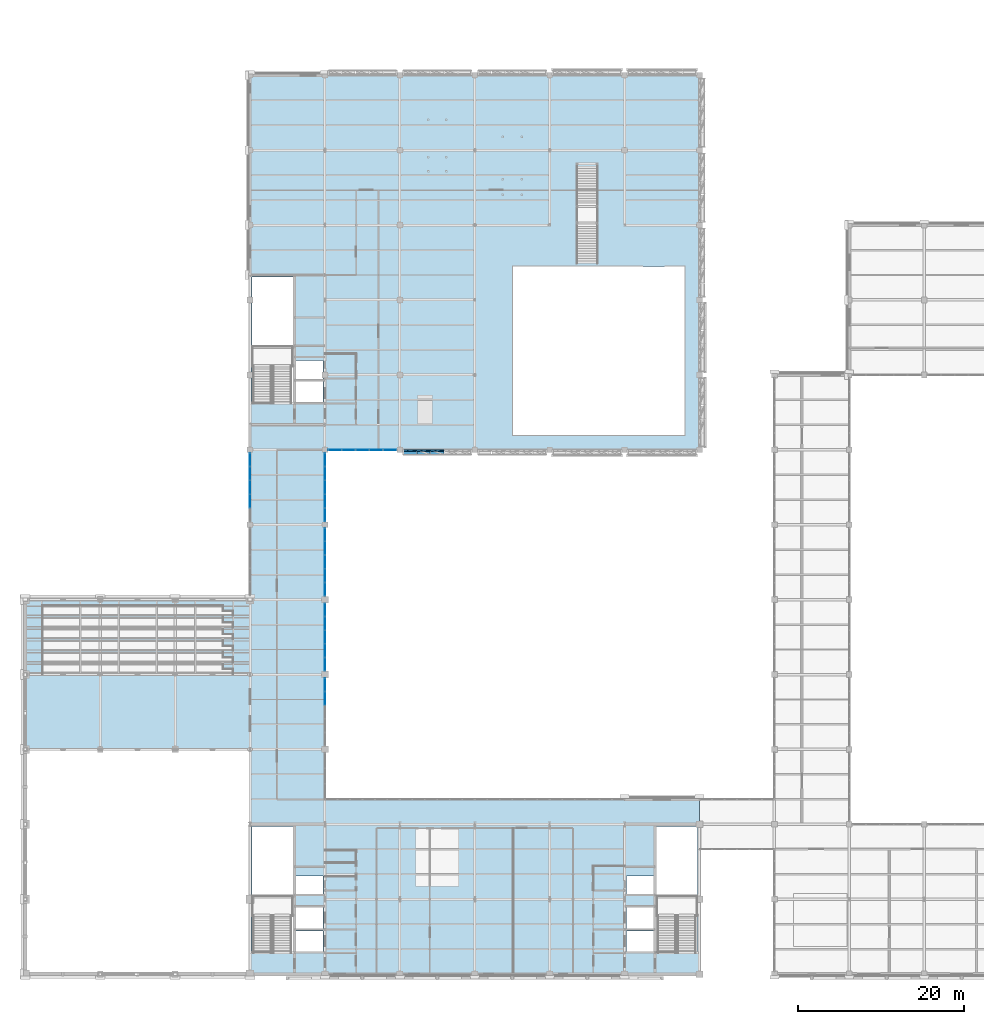
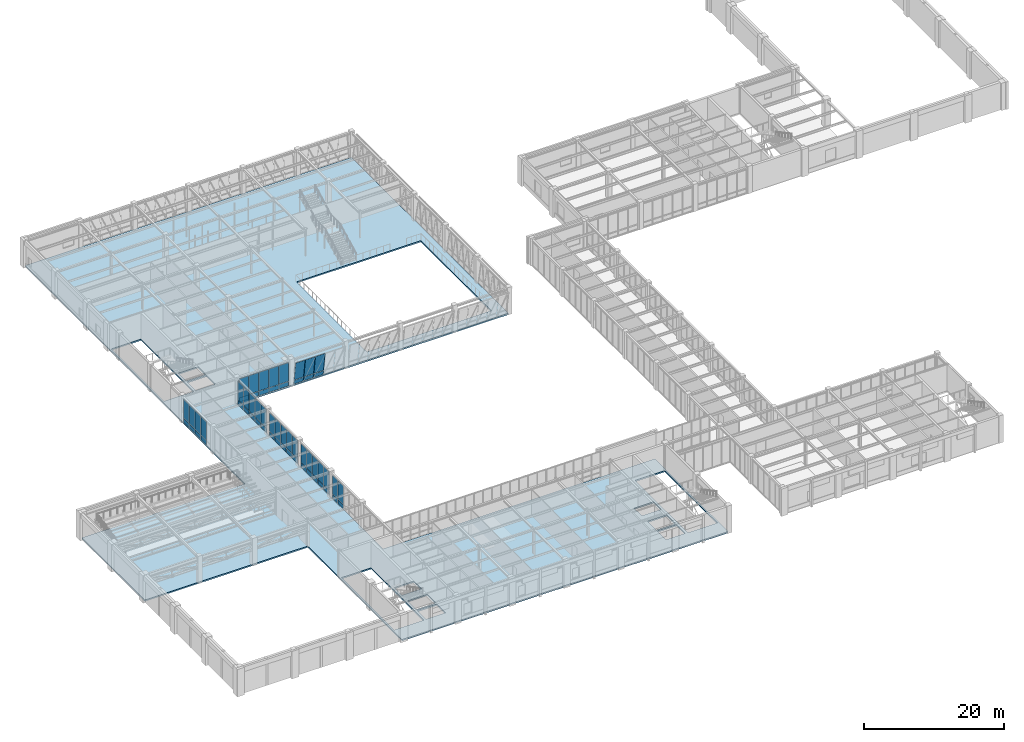
# One storey, part 69 of 92: 58 plates, 1 slab, 8 openings, 7 elements without a shape of their own.
"""IFC4 building model written with IfcOpenShell, lengths in metres."""

from ifc_helpers import new_model, si_unit, direction, frame, origin, origin_2d, place, context, subcontext, project, spatial, polyline, rectangle, outline, extrude, material, layer, layer_set, type_object, element, aggregate, save


model = new_model("IFC4")

# Units and contexts
model_context = context("Model", 3, precision=1e-05, world=origin(), true_north=direction((0.0, 1.0)))
body_context = subcontext(model_context, "Body", "Model", "MODEL_VIEW")
ifc_project = project(units=[si_unit("LENGTHUNIT", "METRE"), si_unit("AREAUNIT", "SQUARE_METRE"), si_unit("VOLUMEUNIT", "CUBIC_METRE"), si_unit("PLANEANGLEUNIT", "RADIAN"), si_unit("MASSUNIT", "GRAM", prefix="KILO")], contexts=[model_context])

# Site, building, storey
site_placement = place(None, origin())
site = spatial("IfcSite", under=ifc_project, at=site_placement, CompositionType="ELEMENT")
building_placement = place(site_placement, origin())
building = spatial("IfcBuilding", under=site, at=building_placement, Name="Lykobir Media Centre", CompositionType="ELEMENT")
storey_placement = place(building_placement, frame((0.0, 0.0, 5.39990234375)))
storey = spatial("IfcBuildingStorey", under=building, at=storey_placement, Name="L01", CompositionType="ELEMENT", Elevation=5.39990234375)

# Curtain wall, plates
ifc_material_1 = material(Name="Anodized Aluminium AW-6060", Category="aluminium")
curtain_wall_type_1 = type_object("IfcCurtainWallType", Name="CW-COURT-A", PredefinedType="NOTDEFINED", material=ifc_material_1)
curtain_wall_1_placement = place(storey_placement, origin())
curtain_wall_1 = element("IfcCurtainWall", 1, at=curtain_wall_1_placement, inside=storey, type_object=curtain_wall_type_1, Name="Curtain wall CW2-L01-0049", PredefinedType="NOTDEFINED")
ifc_material_2 = material(Name="Low-E Laminated Triple Glazing", Category="glass")
ifc_layer_1 = layer(ifc_material_2, 0.0380859375, Name="Low-E Laminated Triple Glazing")
ifc_layer_set_1 = layer_set([ifc_layer_1], Name="Low-E Laminated Triple Glazing")
plate_type_1 = type_object("IfcPlateType", Name="CWP-GLZ-38", PredefinedType="CURTAIN_PANEL", material=ifc_layer_set_1)
plate_1_placement = place(storey_placement, frame((36.0, 34.759765625, 0.882568359375), z_axis=(0.0, 0.0, 1.0), x_axis=(0.0, -1.0, 0.0)))
plate_1 = element("IfcPlate", 2, at=plate_1_placement, type_object=plate_type_1, Name="CW2-L01-0049 panel 1.2", PredefinedType="CURTAIN_PANEL", context=body_context, shape_type="SweptSolid", body=[
    extrude(rectangle(XDim=1.54052734375, YDim=0.0380859375, at=origin_2d()), origin(), (0.0, 0.0, 1.0), 3.24755859375),
])
plate_2_placement = place(storey_placement, frame((36.0, 33.137939453125, 0.882568359375), z_axis=(0.0, 0.0, 1.0), x_axis=(0.0, -1.0, 0.0)))
plate_2 = element("IfcPlate", 3, at=plate_2_placement, type_object=plate_type_1, Name="CW2-L01-0049 panel 2.2", PredefinedType="CURTAIN_PANEL", context=body_context, shape_type="SweptSolid", body=[
    extrude(rectangle(XDim=1.572998046875, YDim=0.0380859375, at=origin_2d()), origin(), (0.0, 0.0, 1.0), 3.24755859375),
])

curtain_wall_2_placement = place(storey_placement, origin())
curtain_wall_2 = element("IfcCurtainWall", 4, at=curtain_wall_2_placement, inside=storey, type_object=curtain_wall_type_1, Name="Curtain wall CW2-L01-0050", PredefinedType="NOTDEFINED")
plate_3_placement = place(storey_placement, frame((36.0, 43.759765625, 0.882568359375), z_axis=(0.0, 0.0, 1.0), x_axis=(0.0, -1.0, 0.0)))
plate_3 = element("IfcPlate", 5, at=plate_3_placement, type_object=plate_type_1, Name="CW2-L01-0050 panel 1.2", PredefinedType="CURTAIN_PANEL", context=body_context, shape_type="SweptSolid", body=[
    extrude(rectangle(XDim=1.54052734375, YDim=0.0380859375, at=origin_2d()), origin(), (0.0, 0.0, 1.0), 3.24755859375),
])
plate_4_placement = place(storey_placement, frame((36.0, 42.137939453125, 0.882568359375), z_axis=(0.0, 0.0, 1.0), x_axis=(0.0, -1.0, 0.0)))
plate_4 = element("IfcPlate", 6, at=plate_4_placement, type_object=plate_type_1, Name="CW2-L01-0050 panel 2.2", PredefinedType="CURTAIN_PANEL", context=body_context, shape_type="SweptSolid", body=[
    extrude(rectangle(XDim=1.572998046875, YDim=0.0380859375, at=origin_2d()), origin(), (0.0, 0.0, 1.0), 3.24755859375),
])
plate_5_placement = place(storey_placement, frame((36.0, 40.5, 0.882568359375), z_axis=(0.0, 0.0, 1.0), x_axis=(0.0, -1.0, 0.0)))
plate_5 = element("IfcPlate", 7, at=plate_5_placement, type_object=plate_type_1, Name="CW2-L01-0050 panel 3.2", PredefinedType="CURTAIN_PANEL", context=body_context, shape_type="SweptSolid", body=[
    extrude(rectangle(XDim=1.572998046875, YDim=0.0380859375, at=origin_2d()), origin(), (0.0, 0.0, 1.0), 3.24755859375),
])
plate_6_placement = place(storey_placement, frame((36.0, 38.862060546875, 0.882568359375), z_axis=(0.0, 0.0, 1.0), x_axis=(0.0, -1.0, 0.0)))
plate_6 = element("IfcPlate", 8, at=plate_6_placement, type_object=plate_type_1, Name="CW2-L01-0050 panel 4.2", PredefinedType="CURTAIN_PANEL", context=body_context, shape_type="SweptSolid", body=[
    extrude(rectangle(XDim=1.572998046875, YDim=0.0380859375, at=origin_2d()), origin(), (0.0, 0.0, 1.0), 3.24755859375),
])
plate_7_placement = place(storey_placement, frame((36.0, 37.240234375, 0.882568359375), z_axis=(0.0, 0.0, 1.0), x_axis=(0.0, -1.0, 0.0)))
plate_7 = element("IfcPlate", 9, at=plate_7_placement, type_object=plate_type_1, Name="CW2-L01-0050 panel 5.2", PredefinedType="CURTAIN_PANEL", context=body_context, shape_type="SweptSolid", body=[
    extrude(rectangle(XDim=1.54052734375, YDim=0.0380859375, at=origin_2d()), origin(), (0.0, 0.0, 1.0), 3.24755859375),
])

curtain_wall_3_placement = place(storey_placement, origin())
curtain_wall_3 = element("IfcCurtainWall", 10, at=curtain_wall_3_placement, inside=storey, type_object=curtain_wall_type_1, Name="Curtain wall CW2-L01-0051", PredefinedType="NOTDEFINED")
plate_8_placement = place(storey_placement, frame((36.0, 52.8046875, 0.882568359375), z_axis=(0.0, 0.0, 1.0), x_axis=(0.0, -1.0, 0.0)))
plate_8 = element("IfcPlate", 11, at=plate_8_placement, type_object=plate_type_1, Name="CW2-L01-0051 panel 1.2", PredefinedType="CURTAIN_PANEL", context=body_context, shape_type="SweptSolid", body=[
    extrude(rectangle(XDim=1.550537109375, YDim=0.0380859375, at=origin_2d()), origin(), (0.0, 0.0, 1.0), 3.24755859375),
])
plate_9_placement = place(storey_placement, frame((36.0, 51.173095703125, 0.882568359375), z_axis=(0.0, 0.0, 1.0), x_axis=(0.0, -1.0, 0.0)))
plate_9 = element("IfcPlate", 12, at=plate_9_placement, type_object=plate_type_1, Name="CW2-L01-0051 panel 2.2", PredefinedType="CURTAIN_PANEL", context=body_context, shape_type="SweptSolid", body=[
    extrude(rectangle(XDim=1.5830078125, YDim=0.0380859375, at=origin_2d()), origin(), (0.0, 0.0, 1.0), 3.24755859375),
])
plate_10_placement = place(storey_placement, frame((36.0, 49.52490234375, 0.882568359375), z_axis=(0.0, 0.0, 1.0), x_axis=(0.0, -1.0, 0.0)))
plate_10 = element("IfcPlate", 13, at=plate_10_placement, type_object=plate_type_1, Name="CW2-L01-0051 panel 3.2", PredefinedType="CURTAIN_PANEL", context=body_context, shape_type="SweptSolid", body=[
    extrude(rectangle(XDim=1.5830078125, YDim=0.0380859375, at=origin_2d()), origin(), (0.0, 0.0, 1.0), 3.24755859375),
])
plate_11_placement = place(storey_placement, frame((36.0, 47.876953125, 0.882568359375), z_axis=(0.0, 0.0, 1.0), x_axis=(0.0, -1.0, 0.0)))
plate_11 = element("IfcPlate", 14, at=plate_11_placement, type_object=plate_type_1, Name="CW2-L01-0051 panel 4.2", PredefinedType="CURTAIN_PANEL", context=body_context, shape_type="SweptSolid", body=[
    extrude(rectangle(XDim=1.5830078125, YDim=0.0380859375, at=origin_2d()), origin(), (0.0, 0.0, 1.0), 3.24755859375),
])
plate_12_placement = place(storey_placement, frame((36.0, 46.2451171875, 0.882568359375), z_axis=(0.0, 0.0, 1.0), x_axis=(0.0, -1.0, 0.0)))
plate_12 = element("IfcPlate", 15, at=plate_12_placement, type_object=plate_type_1, Name="CW2-L01-0051 panel 5.2", PredefinedType="CURTAIN_PANEL", context=body_context, shape_type="SweptSolid", body=[
    extrude(rectangle(XDim=1.550537109375, YDim=0.0380859375, at=origin_2d()), origin(), (0.0, 0.0, 1.0), 3.24755859375),
])

curtain_wall_4_placement = place(storey_placement, origin())
curtain_wall_4 = element("IfcCurtainWall", 16, at=curtain_wall_4_placement, inside=storey, type_object=curtain_wall_type_1, Name="Curtain wall CW2-L01-0052", PredefinedType="NOTDEFINED")
plate_13_placement = place(storey_placement, frame((36.0, 61.7998046875, 0.882568359375), z_axis=(0.0, 0.0, 1.0), x_axis=(0.0, -1.0, 0.0)))
plate_13 = element("IfcPlate", 17, at=plate_13_placement, type_object=plate_type_1, Name="CW2-L01-0052 panel 1.2", PredefinedType="CURTAIN_PANEL", context=body_context, shape_type="SweptSolid", body=[
    extrude(rectangle(XDim=1.560546875, YDim=0.0380859375, at=origin_2d()), origin(), (0.0, 0.0, 1.0), 3.24755859375),
])
plate_14_placement = place(storey_placement, frame((36.0, 60.157958984375, 0.882568359375), z_axis=(0.0, 0.0, 1.0), x_axis=(0.0, -1.0, 0.0)))
plate_14 = element("IfcPlate", 18, at=plate_14_placement, type_object=plate_type_1, Name="CW2-L01-0052 panel 2.2", PredefinedType="CURTAIN_PANEL", context=body_context, shape_type="SweptSolid", body=[
    extrude(rectangle(XDim=1.593017578125, YDim=0.0380859375, at=origin_2d()), origin(), (0.0, 0.0, 1.0), 3.24755859375),
])
plate_15_placement = place(storey_placement, frame((36.0, 58.5, 0.882568359375), z_axis=(0.0, 0.0, 1.0), x_axis=(0.0, -1.0, 0.0)))
plate_15 = element("IfcPlate", 19, at=plate_15_placement, type_object=plate_type_1, Name="CW2-L01-0052 panel 3.2", PredefinedType="CURTAIN_PANEL", context=body_context, shape_type="SweptSolid", body=[
    extrude(rectangle(XDim=1.593017578125, YDim=0.0380859375, at=origin_2d()), origin(), (0.0, 0.0, 1.0), 3.24755859375),
])
plate_16_placement = place(storey_placement, frame((36.0, 56.842041015625, 0.882568359375), z_axis=(0.0, 0.0, 1.0), x_axis=(0.0, -1.0, 0.0)))
plate_16 = element("IfcPlate", 20, at=plate_16_placement, type_object=plate_type_1, Name="CW2-L01-0052 panel 4.2", PredefinedType="CURTAIN_PANEL", context=body_context, shape_type="SweptSolid", body=[
    extrude(rectangle(XDim=1.593017578125, YDim=0.0380859375, at=origin_2d()), origin(), (0.0, 0.0, 1.0), 3.24755859375),
])
plate_17_placement = place(storey_placement, frame((36.0, 55.2001953125, 0.882568359375), z_axis=(0.0, 0.0, 1.0), x_axis=(0.0, -1.0, 0.0)))
plate_17 = element("IfcPlate", 21, at=plate_17_placement, type_object=plate_type_1, Name="CW2-L01-0052 panel 5.2", PredefinedType="CURTAIN_PANEL", context=body_context, shape_type="SweptSolid", body=[
    extrude(rectangle(XDim=1.560546875, YDim=0.0380859375, at=origin_2d()), origin(), (0.0, 0.0, 1.0), 3.24755859375),
])

curtain_wall_5_placement = place(storey_placement, origin())
curtain_wall_5 = element("IfcCurtainWall", 22, at=curtain_wall_5_placement, inside=storey, type_object=curtain_wall_type_1, Name="Curtain wall CW2-L01-0053", PredefinedType="NOTDEFINED")
plate_18_placement = place(storey_placement, frame((43.7998046875, 63.0, 0.882568359375), z_axis=(0.0, 0.0, 1.0), x_axis=(-1.0, 0.0, 0.0)))
plate_18 = element("IfcPlate", 23, at=plate_18_placement, type_object=plate_type_1, Name="CW2-L01-0053 panel 1.2", PredefinedType="CURTAIN_PANEL", context=body_context, shape_type="SweptSolid", body=[
    extrude(rectangle(XDim=1.560546875, YDim=0.0380859375, at=origin_2d()), origin(), (0.0, 0.0, 1.0), 3.24755859375),
])
plate_19_placement = place(storey_placement, frame((42.157958984375, 63.0, 0.882568359375), z_axis=(0.0, 0.0, 1.0), x_axis=(-1.0, 0.0, 0.0)))
plate_19 = element("IfcPlate", 24, at=plate_19_placement, type_object=plate_type_1, Name="CW2-L01-0053 panel 2.2", PredefinedType="CURTAIN_PANEL", context=body_context, shape_type="SweptSolid", body=[
    extrude(rectangle(XDim=1.593017578125, YDim=0.0380859375, at=origin_2d()), origin(), (0.0, 0.0, 1.0), 3.24755859375),
])
plate_20_placement = place(storey_placement, frame((40.5, 63.0, 0.882568359375), z_axis=(0.0, 0.0, 1.0), x_axis=(-1.0, 0.0, 0.0)))
plate_20 = element("IfcPlate", 25, at=plate_20_placement, type_object=plate_type_1, Name="CW2-L01-0053 panel 3.2", PredefinedType="CURTAIN_PANEL", context=body_context, shape_type="SweptSolid", body=[
    extrude(rectangle(XDim=1.593017578125, YDim=0.0380859375, at=origin_2d()), origin(), (0.0, 0.0, 1.0), 3.24755859375),
])
plate_21_placement = place(storey_placement, frame((38.842041015625, 63.0, 0.882568359375), z_axis=(0.0, 0.0, 1.0), x_axis=(-1.0, 0.0, 0.0)))
plate_21 = element("IfcPlate", 26, at=plate_21_placement, type_object=plate_type_1, Name="CW2-L01-0053 panel 4.2", PredefinedType="CURTAIN_PANEL", context=body_context, shape_type="SweptSolid", body=[
    extrude(rectangle(XDim=1.593017578125, YDim=0.0380859375, at=origin_2d()), origin(), (0.0, 0.0, 1.0), 3.24755859375),
])
plate_22_placement = place(storey_placement, frame((37.2001953125, 63.0, 0.882568359375), z_axis=(0.0, 0.0, 1.0), x_axis=(-1.0, 0.0, 0.0)))
plate_22 = element("IfcPlate", 27, at=plate_22_placement, type_object=plate_type_1, Name="CW2-L01-0053 panel 5.2", PredefinedType="CURTAIN_PANEL", context=body_context, shape_type="SweptSolid", body=[
    extrude(rectangle(XDim=1.560546875, YDim=0.0380859375, at=origin_2d()), origin(), (0.0, 0.0, 1.0), 3.24755859375),
])

curtain_wall_6_placement = place(storey_placement, origin())
curtain_wall_6 = element("IfcCurtainWall", 28, at=curtain_wall_6_placement, inside=storey, type_object=curtain_wall_type_1, Name="Curtain wall CW2-L01-0069", PredefinedType="NOTDEFINED")
plate_23_placement = place(storey_placement, frame((27.0, 56.842041015625, 0.882568359375), z_axis=(0.0, 0.0, 1.0), x_axis=(0.0, 1.0, 0.0)))
plate_23 = element("IfcPlate", 29, at=plate_23_placement, type_object=plate_type_1, Name="CW2-L01-0069 panel 2.2", PredefinedType="CURTAIN_PANEL", context=body_context, shape_type="SweptSolid", body=[
    extrude(rectangle(XDim=1.593017578125, YDim=0.0380859375, at=origin_2d()), origin(), (0.0, 0.0, 1.0), 3.24755859375),
])
plate_24_placement = place(storey_placement, frame((27.0, 58.5, 0.882568359375), z_axis=(0.0, 0.0, 1.0), x_axis=(0.0, 1.0, 0.0)))
plate_24 = element("IfcPlate", 30, at=plate_24_placement, type_object=plate_type_1, Name="CW2-L01-0069 panel 3.2", PredefinedType="CURTAIN_PANEL", context=body_context, shape_type="SweptSolid", body=[
    extrude(rectangle(XDim=1.593017578125, YDim=0.0380859375, at=origin_2d()), origin(), (0.0, 0.0, 1.0), 3.24755859375),
])
plate_25_placement = place(storey_placement, frame((27.0, 60.157958984375, 0.882568359375), z_axis=(0.0, 0.0, 1.0), x_axis=(0.0, 1.0, 0.0)))
plate_25 = element("IfcPlate", 31, at=plate_25_placement, type_object=plate_type_1, Name="CW2-L01-0069 panel 4.2", PredefinedType="CURTAIN_PANEL", context=body_context, shape_type="SweptSolid", body=[
    extrude(rectangle(XDim=1.593017578125, YDim=0.0380859375, at=origin_2d()), origin(), (0.0, 0.0, 1.0), 3.24755859375),
])
plate_26_placement = place(storey_placement, frame((27.0, 61.7998046875, 0.882568359375), z_axis=(0.0, 0.0, 1.0), x_axis=(0.0, 1.0, 0.0)))
plate_26 = element("IfcPlate", 32, at=plate_26_placement, type_object=plate_type_1, Name="CW2-L01-0069 panel 5.2", PredefinedType="CURTAIN_PANEL", context=body_context, shape_type="SweptSolid", body=[
    extrude(rectangle(XDim=1.560546875, YDim=0.0380859375, at=origin_2d()), origin(), (0.0, 0.0, 1.0), 3.24755859375),
])

curtain_wall_type_2 = type_object("IfcCurtainWallType", Name="CW-V6-CR1", PredefinedType="NOTDEFINED", material=ifc_material_1)
curtain_wall_7_placement = place(storey_placement, origin())
curtain_wall_7 = element("IfcCurtainWall", 33, at=curtain_wall_7_placement, inside=storey, type_object=curtain_wall_type_2, Name="Curtain wall CW2-L01-0054", PredefinedType="NOTDEFINED")
ifc_layer_2 = layer(ifc_material_2, 0.0439453125, Name="Low-E Laminated Triple Glazing")
ifc_layer_set_2 = layer_set([ifc_layer_2], Name="Low-E Laminated Triple Glazing")
plate_type_2 = type_object("IfcPlateType", Name="CWP-GLZ-44", PredefinedType="CURTAIN_PANEL", material=ifc_layer_set_2)
plate_27_placement = place(storey_placement, frame((46.20263671875, 62.873291015625, 0.87841796875), z_axis=(0.0, -0.142628933706, 0.989776230908), x_axis=(1.0, 0.0, 0.0)))
plate_27 = element("IfcPlate", 34, at=plate_27_placement, type_object=plate_type_2, Name="CW2-L01-0054 panel 1.2", PredefinedType="CURTAIN_PANEL", context=body_context, shape_type="SweptSolid", body=[
    extrude(rectangle(XDim=1.54541015625, YDim=0.0439453125, at=origin_2d()), origin(), (0.0, 0.0, 1.0), 3.27587890625),
])
plate_28_placement = place(storey_placement, frame((47.842041015625, 62.873291015625, 0.87841796875), z_axis=(0.0, -0.142628933706, 0.989776230908), x_axis=(1.0, 0.0, 0.0)))
plate_28 = element("IfcPlate", 35, at=plate_28_placement, type_object=plate_type_2, Name="CW2-L01-0054 panel 2.2", PredefinedType="CURTAIN_PANEL", context=body_context, shape_type="SweptSolid", body=[
    extrude(rectangle(XDim=1.5830078125, YDim=0.0439453125, at=origin_2d()), origin(), (0.0, 0.0, 1.0), 3.27587890625),
])
plate_29_placement = place(storey_placement, frame((49.5, 62.873291015625, 0.87841796875), z_axis=(0.0, -0.142628933706, 0.989776230908), x_axis=(1.0, 0.0, 0.0)))
plate_29 = element("IfcPlate", 36, at=plate_29_placement, type_object=plate_type_2, Name="CW2-L01-0054 panel 3.2", PredefinedType="CURTAIN_PANEL", context=body_context, shape_type="SweptSolid", body=[
    extrude(rectangle(XDim=1.5830078125, YDim=0.0439453125, at=origin_2d()), origin(), (0.0, 0.0, 1.0), 3.27587890625),
])

# Plate
ifc_material_3 = material(Name="Glazed Turquoise Terracotta", Category="masonry")
ifc_layer_3 = layer(ifc_material_3, 0.06005859375, Name="Glazed Turquoise Terracotta")
ifc_layer_set_3 = layer_set([ifc_layer_3], Name="Glazed Turquoise Terracotta")
plate_type_3 = type_object("IfcPlateType", Name="CWP-SPN-60", PredefinedType="CURTAIN_PANEL", material=ifc_layer_set_3)
plate_30_placement = place(storey_placement, frame((36.0, 34.759765625, 0.065185546875), z_axis=(0.0, 0.0, 1.0), x_axis=(0.0, -1.0, 0.0)))
plate_30 = element("IfcPlate", 37, at=plate_30_placement, type_object=plate_type_3, Name="CW2-L01-0049 panel 1.1", PredefinedType="CURTAIN_PANEL", context=body_context, shape_type="SweptSolid", body=[
    extrude(rectangle(XDim=1.54052734375, YDim=0.06005859375, at=origin_2d()), origin(), (0.0, 0.0, 1.0), 0.75244140625),
])

plate_31_placement = place(storey_placement, frame((36.0, 33.137939453125, 0.065185546875), z_axis=(0.0, 0.0, 1.0), x_axis=(0.0, -1.0, 0.0)))
plate_31 = element("IfcPlate", 38, at=plate_31_placement, type_object=plate_type_3, Name="CW2-L01-0049 panel 2.1", PredefinedType="CURTAIN_PANEL", context=body_context, shape_type="SweptSolid", body=[
    extrude(rectangle(XDim=1.572998046875, YDim=0.06005859375, at=origin_2d()), origin(), (0.0, 0.0, 1.0), 0.75244140625),
])

aggregate(curtain_wall_1, [plate_30, plate_1, plate_31, plate_2])

plate_32_placement = place(storey_placement, frame((36.0, 43.759765625, 0.065185546875), z_axis=(0.0, 0.0, 1.0), x_axis=(0.0, -1.0, 0.0)))
plate_32 = element("IfcPlate", 39, at=plate_32_placement, type_object=plate_type_3, Name="CW2-L01-0050 panel 1.1", PredefinedType="CURTAIN_PANEL", context=body_context, shape_type="SweptSolid", body=[
    extrude(rectangle(XDim=1.54052734375, YDim=0.06005859375, at=origin_2d()), origin(), (0.0, 0.0, 1.0), 0.75244140625),
])

plate_33_placement = place(storey_placement, frame((36.0, 42.137939453125, 0.065185546875), z_axis=(0.0, 0.0, 1.0), x_axis=(0.0, -1.0, 0.0)))
plate_33 = element("IfcPlate", 40, at=plate_33_placement, type_object=plate_type_3, Name="CW2-L01-0050 panel 2.1", PredefinedType="CURTAIN_PANEL", context=body_context, shape_type="SweptSolid", body=[
    extrude(rectangle(XDim=1.572998046875, YDim=0.06005859375, at=origin_2d()), origin(), (0.0, 0.0, 1.0), 0.75244140625),
])

plate_34_placement = place(storey_placement, frame((36.0, 40.5, 0.065185546875), z_axis=(0.0, 0.0, 1.0), x_axis=(0.0, -1.0, 0.0)))
plate_34 = element("IfcPlate", 41, at=plate_34_placement, type_object=plate_type_3, Name="CW2-L01-0050 panel 3.1", PredefinedType="CURTAIN_PANEL", context=body_context, shape_type="SweptSolid", body=[
    extrude(rectangle(XDim=1.572998046875, YDim=0.06005859375, at=origin_2d()), origin(), (0.0, 0.0, 1.0), 0.75244140625),
])

plate_35_placement = place(storey_placement, frame((36.0, 38.862060546875, 0.065185546875), z_axis=(0.0, 0.0, 1.0), x_axis=(0.0, -1.0, 0.0)))
plate_35 = element("IfcPlate", 42, at=plate_35_placement, type_object=plate_type_3, Name="CW2-L01-0050 panel 4.1", PredefinedType="CURTAIN_PANEL", context=body_context, shape_type="SweptSolid", body=[
    extrude(rectangle(XDim=1.572998046875, YDim=0.06005859375, at=origin_2d()), origin(), (0.0, 0.0, 1.0), 0.75244140625),
])

plate_36_placement = place(storey_placement, frame((36.0, 37.240234375, 0.065185546875), z_axis=(0.0, 0.0, 1.0), x_axis=(0.0, -1.0, 0.0)))
plate_36 = element("IfcPlate", 43, at=plate_36_placement, type_object=plate_type_3, Name="CW2-L01-0050 panel 5.1", PredefinedType="CURTAIN_PANEL", context=body_context, shape_type="SweptSolid", body=[
    extrude(rectangle(XDim=1.54052734375, YDim=0.06005859375, at=origin_2d()), origin(), (0.0, 0.0, 1.0), 0.75244140625),
])

aggregate(curtain_wall_2, [plate_32, plate_3, plate_33, plate_4, plate_34, plate_5, plate_35, plate_6, plate_36, plate_7])

plate_37_placement = place(storey_placement, frame((36.0, 52.8046875, 0.065185546875), z_axis=(0.0, 0.0, 1.0), x_axis=(0.0, -1.0, 0.0)))
plate_37 = element("IfcPlate", 44, at=plate_37_placement, type_object=plate_type_3, Name="CW2-L01-0051 panel 1.1", PredefinedType="CURTAIN_PANEL", context=body_context, shape_type="SweptSolid", body=[
    extrude(rectangle(XDim=1.550537109375, YDim=0.06005859375, at=origin_2d()), origin(), (0.0, 0.0, 1.0), 0.75244140625),
])

plate_38_placement = place(storey_placement, frame((36.0, 51.173095703125, 0.065185546875), z_axis=(0.0, 0.0, 1.0), x_axis=(0.0, -1.0, 0.0)))
plate_38 = element("IfcPlate", 45, at=plate_38_placement, type_object=plate_type_3, Name="CW2-L01-0051 panel 2.1", PredefinedType="CURTAIN_PANEL", context=body_context, shape_type="SweptSolid", body=[
    extrude(rectangle(XDim=1.5830078125, YDim=0.06005859375, at=origin_2d()), origin(), (0.0, 0.0, 1.0), 0.75244140625),
])

plate_39_placement = place(storey_placement, frame((36.0, 49.52490234375, 0.065185546875), z_axis=(0.0, 0.0, 1.0), x_axis=(0.0, -1.0, 0.0)))
plate_39 = element("IfcPlate", 46, at=plate_39_placement, type_object=plate_type_3, Name="CW2-L01-0051 panel 3.1", PredefinedType="CURTAIN_PANEL", context=body_context, shape_type="SweptSolid", body=[
    extrude(rectangle(XDim=1.5830078125, YDim=0.06005859375, at=origin_2d()), origin(), (0.0, 0.0, 1.0), 0.75244140625),
])

plate_40_placement = place(storey_placement, frame((36.0, 47.876953125, 0.065185546875), z_axis=(0.0, 0.0, 1.0), x_axis=(0.0, -1.0, 0.0)))
plate_40 = element("IfcPlate", 47, at=plate_40_placement, type_object=plate_type_3, Name="CW2-L01-0051 panel 4.1", PredefinedType="CURTAIN_PANEL", context=body_context, shape_type="SweptSolid", body=[
    extrude(rectangle(XDim=1.5830078125, YDim=0.06005859375, at=origin_2d()), origin(), (0.0, 0.0, 1.0), 0.75244140625),
])

plate_41_placement = place(storey_placement, frame((36.0, 46.2451171875, 0.065185546875), z_axis=(0.0, 0.0, 1.0), x_axis=(0.0, -1.0, 0.0)))
plate_41 = element("IfcPlate", 48, at=plate_41_placement, type_object=plate_type_3, Name="CW2-L01-0051 panel 5.1", PredefinedType="CURTAIN_PANEL", context=body_context, shape_type="SweptSolid", body=[
    extrude(rectangle(XDim=1.550537109375, YDim=0.06005859375, at=origin_2d()), origin(), (0.0, 0.0, 1.0), 0.75244140625),
])

aggregate(curtain_wall_3, [plate_37, plate_8, plate_38, plate_9, plate_39, plate_10, plate_40, plate_11, plate_41, plate_12])

plate_42_placement = place(storey_placement, frame((36.0, 61.7998046875, 0.065185546875), z_axis=(0.0, 0.0, 1.0), x_axis=(0.0, -1.0, 0.0)))
plate_42 = element("IfcPlate", 49, at=plate_42_placement, type_object=plate_type_3, Name="CW2-L01-0052 panel 1.1", PredefinedType="CURTAIN_PANEL", context=body_context, shape_type="SweptSolid", body=[
    extrude(rectangle(XDim=1.560546875, YDim=0.06005859375, at=origin_2d()), origin(), (0.0, 0.0, 1.0), 0.75244140625),
])

plate_43_placement = place(storey_placement, frame((36.0, 60.157958984375, 0.065185546875), z_axis=(0.0, 0.0, 1.0), x_axis=(0.0, -1.0, 0.0)))
plate_43 = element("IfcPlate", 50, at=plate_43_placement, type_object=plate_type_3, Name="CW2-L01-0052 panel 2.1", PredefinedType="CURTAIN_PANEL", context=body_context, shape_type="SweptSolid", body=[
    extrude(rectangle(XDim=1.593017578125, YDim=0.06005859375, at=origin_2d()), origin(), (0.0, 0.0, 1.0), 0.75244140625),
])

plate_44_placement = place(storey_placement, frame((36.0, 58.5, 0.065185546875), z_axis=(0.0, 0.0, 1.0), x_axis=(0.0, -1.0, 0.0)))
plate_44 = element("IfcPlate", 51, at=plate_44_placement, type_object=plate_type_3, Name="CW2-L01-0052 panel 3.1", PredefinedType="CURTAIN_PANEL", context=body_context, shape_type="SweptSolid", body=[
    extrude(rectangle(XDim=1.593017578125, YDim=0.06005859375, at=origin_2d()), origin(), (0.0, 0.0, 1.0), 0.75244140625),
])

plate_45_placement = place(storey_placement, frame((36.0, 56.842041015625, 0.065185546875), z_axis=(0.0, 0.0, 1.0), x_axis=(0.0, -1.0, 0.0)))
plate_45 = element("IfcPlate", 52, at=plate_45_placement, type_object=plate_type_3, Name="CW2-L01-0052 panel 4.1", PredefinedType="CURTAIN_PANEL", context=body_context, shape_type="SweptSolid", body=[
    extrude(rectangle(XDim=1.593017578125, YDim=0.06005859375, at=origin_2d()), origin(), (0.0, 0.0, 1.0), 0.75244140625),
])

plate_46_placement = place(storey_placement, frame((36.0, 55.2001953125, 0.065185546875), z_axis=(0.0, 0.0, 1.0), x_axis=(0.0, -1.0, 0.0)))
plate_46 = element("IfcPlate", 53, at=plate_46_placement, type_object=plate_type_3, Name="CW2-L01-0052 panel 5.1", PredefinedType="CURTAIN_PANEL", context=body_context, shape_type="SweptSolid", body=[
    extrude(rectangle(XDim=1.560546875, YDim=0.06005859375, at=origin_2d()), origin(), (0.0, 0.0, 1.0), 0.75244140625),
])

aggregate(curtain_wall_4, [plate_42, plate_13, plate_43, plate_14, plate_44, plate_15, plate_45, plate_16, plate_46, plate_17])

plate_47_placement = place(storey_placement, frame((43.7998046875, 63.0, 0.065185546875), z_axis=(0.0, 0.0, 1.0), x_axis=(-1.0, 0.0, 0.0)))
plate_47 = element("IfcPlate", 54, at=plate_47_placement, type_object=plate_type_3, Name="CW2-L01-0053 panel 1.1", PredefinedType="CURTAIN_PANEL", context=body_context, shape_type="SweptSolid", body=[
    extrude(rectangle(XDim=1.560546875, YDim=0.06005859375, at=origin_2d()), origin(), (0.0, 0.0, 1.0), 0.75244140625),
])

plate_48_placement = place(storey_placement, frame((42.157958984375, 63.0, 0.065185546875), z_axis=(0.0, 0.0, 1.0), x_axis=(-1.0, 0.0, 0.0)))
plate_48 = element("IfcPlate", 55, at=plate_48_placement, type_object=plate_type_3, Name="CW2-L01-0053 panel 2.1", PredefinedType="CURTAIN_PANEL", context=body_context, shape_type="SweptSolid", body=[
    extrude(rectangle(XDim=1.593017578125, YDim=0.06005859375, at=origin_2d()), origin(), (0.0, 0.0, 1.0), 0.75244140625),
])

plate_49_placement = place(storey_placement, frame((40.5, 63.0, 0.065185546875), z_axis=(0.0, 0.0, 1.0), x_axis=(-1.0, 0.0, 0.0)))
plate_49 = element("IfcPlate", 56, at=plate_49_placement, type_object=plate_type_3, Name="CW2-L01-0053 panel 3.1", PredefinedType="CURTAIN_PANEL", context=body_context, shape_type="SweptSolid", body=[
    extrude(rectangle(XDim=1.593017578125, YDim=0.06005859375, at=origin_2d()), origin(), (0.0, 0.0, 1.0), 0.75244140625),
])

plate_50_placement = place(storey_placement, frame((38.842041015625, 63.0, 0.065185546875), z_axis=(0.0, 0.0, 1.0), x_axis=(-1.0, 0.0, 0.0)))
plate_50 = element("IfcPlate", 57, at=plate_50_placement, type_object=plate_type_3, Name="CW2-L01-0053 panel 4.1", PredefinedType="CURTAIN_PANEL", context=body_context, shape_type="SweptSolid", body=[
    extrude(rectangle(XDim=1.593017578125, YDim=0.06005859375, at=origin_2d()), origin(), (0.0, 0.0, 1.0), 0.75244140625),
])

plate_51_placement = place(storey_placement, frame((37.2001953125, 63.0, 0.065185546875), z_axis=(0.0, 0.0, 1.0), x_axis=(-1.0, 0.0, 0.0)))
plate_51 = element("IfcPlate", 58, at=plate_51_placement, type_object=plate_type_3, Name="CW2-L01-0053 panel 5.1", PredefinedType="CURTAIN_PANEL", context=body_context, shape_type="SweptSolid", body=[
    extrude(rectangle(XDim=1.560546875, YDim=0.06005859375, at=origin_2d()), origin(), (0.0, 0.0, 1.0), 0.75244140625),
])

aggregate(curtain_wall_5, [plate_47, plate_18, plate_48, plate_19, plate_49, plate_20, plate_50, plate_21, plate_51, plate_22])

plate_52_placement = place(storey_placement, frame((46.20263671875, 62.9892578125, 0.07421875), z_axis=(0.0, -0.142628933706, 0.989776230908), x_axis=(1.0, 0.0, 0.0)))
plate_52 = element("IfcPlate", 59, at=plate_52_placement, type_object=plate_type_3, Name="CW2-L01-0054 panel 1.1", PredefinedType="CURTAIN_PANEL", context=body_context, shape_type="SweptSolid", body=[
    extrude(rectangle(XDim=1.54541015625, YDim=0.06005859375, at=origin_2d()), origin(), (0.0, 0.0, 1.0), 0.737548828125),
])

plate_53_placement = place(storey_placement, frame((47.842041015625, 62.9892578125, 0.07421875), z_axis=(0.0, -0.142628933706, 0.989776230908), x_axis=(1.0, 0.0, 0.0)))
plate_53 = element("IfcPlate", 60, at=plate_53_placement, type_object=plate_type_3, Name="CW2-L01-0054 panel 2.1", PredefinedType="CURTAIN_PANEL", context=body_context, shape_type="SweptSolid", body=[
    extrude(rectangle(XDim=1.5830078125, YDim=0.06005859375, at=origin_2d()), origin(), (0.0, 0.0, 1.0), 0.737548828125),
])

plate_54_placement = place(storey_placement, frame((49.5, 62.9892578125, 0.07421875), z_axis=(0.0, -0.142628933706, 0.989776230908), x_axis=(1.0, 0.0, 0.0)))
plate_54 = element("IfcPlate", 61, at=plate_54_placement, type_object=plate_type_3, Name="CW2-L01-0054 panel 3.1", PredefinedType="CURTAIN_PANEL", context=body_context, shape_type="SweptSolid", body=[
    extrude(rectangle(XDim=1.5830078125, YDim=0.06005859375, at=origin_2d()), origin(), (0.0, 0.0, 1.0), 0.737548828125),
])

aggregate(curtain_wall_7, [plate_52, plate_27, plate_53, plate_28, plate_54, plate_29])

plate_55_placement = place(storey_placement, frame((27.0, 56.842041015625, 0.065185546875), z_axis=(0.0, 0.0, 1.0), x_axis=(0.0, 1.0, 0.0)))
plate_55 = element("IfcPlate", 62, at=plate_55_placement, type_object=plate_type_3, Name="CW2-L01-0069 panel 2.1", PredefinedType="CURTAIN_PANEL", context=body_context, shape_type="SweptSolid", body=[
    extrude(rectangle(XDim=1.593017578125, YDim=0.06005859375, at=origin_2d()), origin(), (0.0, 0.0, 1.0), 0.75244140625),
])

plate_56_placement = place(storey_placement, frame((27.0, 58.5, 0.065185546875), z_axis=(0.0, 0.0, 1.0), x_axis=(0.0, 1.0, 0.0)))
plate_56 = element("IfcPlate", 63, at=plate_56_placement, type_object=plate_type_3, Name="CW2-L01-0069 panel 3.1", PredefinedType="CURTAIN_PANEL", context=body_context, shape_type="SweptSolid", body=[
    extrude(rectangle(XDim=1.593017578125, YDim=0.06005859375, at=origin_2d()), origin(), (0.0, 0.0, 1.0), 0.75244140625),
])

plate_57_placement = place(storey_placement, frame((27.0, 60.157958984375, 0.065185546875), z_axis=(0.0, 0.0, 1.0), x_axis=(0.0, 1.0, 0.0)))
plate_57 = element("IfcPlate", 64, at=plate_57_placement, type_object=plate_type_3, Name="CW2-L01-0069 panel 4.1", PredefinedType="CURTAIN_PANEL", context=body_context, shape_type="SweptSolid", body=[
    extrude(rectangle(XDim=1.593017578125, YDim=0.06005859375, at=origin_2d()), origin(), (0.0, 0.0, 1.0), 0.75244140625),
])

plate_58_placement = place(storey_placement, frame((27.0, 61.7998046875, 0.065185546875), z_axis=(0.0, 0.0, 1.0), x_axis=(0.0, 1.0, 0.0)))
plate_58 = element("IfcPlate", 65, at=plate_58_placement, type_object=plate_type_3, Name="CW2-L01-0069 panel 5.1", PredefinedType="CURTAIN_PANEL", context=body_context, shape_type="SweptSolid", body=[
    extrude(rectangle(XDim=1.560546875, YDim=0.06005859375, at=origin_2d()), origin(), (0.0, 0.0, 1.0), 0.75244140625),
])

aggregate(curtain_wall_6, [plate_55, plate_23, plate_56, plate_24, plate_57, plate_25, plate_58, plate_26])

# Slab, openings
ifc_material_4 = material(Name="Concrete C30/37", Category="concrete")
ifc_layer_4 = layer(ifc_material_4, 0.239990234375, Name="Concrete C30/37")
ifc_layer_set_4 = layer_set([ifc_layer_4], Name="Concrete C30/37")
slab_type = type_object("IfcSlabType", Name="FS-240", PredefinedType="FLOOR", material=ifc_layer_set_4)
slab_placement = place(storey_placement, frame((0.0, 0.0, -0.239990234375)))
slab = element("IfcSlab", 66, at=slab_placement, inside=storey, type_object=slab_type, Name="L01 structural slab 2", PredefinedType="FLOOR", context=body_context, shape_type="SweptSolid", body=[
    extrude(outline(polyline([(81.0, 21.0), (36.0, 21.0), (36.0, 63.0), (81.0, 63.0), (81.0, 108.0), (27.0, 108.0), (27.0, 63.0), (27.0, 45.0), (0.0, 45.0), (0.0, 27.0), (27.0, 27.0), (27.0, 21.0), (27.0, 0.0), (81.0, 0.0), (81.0, 21.0)]), holes=[polyline([(32.14990234375, 2.64990234375), (27.25, 2.64990234375), (27.25, 17.75), (32.14990234375, 17.75), (32.14990234375, 2.64990234375)]), polyline([(80.75, 2.64990234375), (75.85009765625, 2.64990234375), (75.85009765625, 17.75), (80.75, 17.75), (80.75, 2.64990234375)]), polyline([(79.199951171875, 85.0), (79.199951171875, 64.800048828125), (58.60009765625, 64.800048828125), (58.60009765625, 85.0), (79.199951171875, 85.0)]), polyline([(32.14990234375, 68.64990234375), (27.25, 68.64990234375), (27.25, 83.75), (32.14990234375, 83.75), (32.14990234375, 68.64990234375)])]), origin(), (0.0, 0.0, 1.0), 0.239990234375),
])
opening_1_placement = place(slab_placement, frame((34.14990234375, 3.949951171875, 0.0)))
element("IfcOpeningElement", 67, at=opening_1_placement, cuts=slab, Name="Shaft opening C1-pass_shaft-L01", PredefinedType="OPENING", context=body_context, shape_type="SweptSolid", body=[
    extrude(rectangle(XDim=3.199951171875, YDim=2.5, at=origin_2d()), origin(), (0.0, 0.0, 1.0), 0.239990234375),
])
opening_2_placement = place(slab_placement, frame((34.14990234375, 6.75, 0.0)))
element("IfcOpeningElement", 68, at=opening_2_placement, cuts=slab, Name="Shaft opening C1-ff_shaft-L01", PredefinedType="OPENING", context=body_context, shape_type="SweptSolid", body=[
    extrude(rectangle(XDim=3.199951171875, YDim=2.5, at=origin_2d()), origin(), (0.0, 0.0, 1.0), 0.239990234375),
])
opening_3_placement = place(slab_placement, frame((34.14990234375, 10.699951171875, 0.0)))
element("IfcOpeningElement", 69, at=opening_3_placement, cuts=slab, Name="Shaft opening C1-riser_shaft-L01", PredefinedType="OPENING", context=body_context, shape_type="SweptSolid", body=[
    extrude(rectangle(XDim=3.199951171875, YDim=2.199951171875, at=origin_2d()), origin(), (0.0, 0.0, 1.0), 0.239990234375),
])
opening_4_placement = place(slab_placement, frame((73.85009765625, 3.949951171875, 0.0)))
element("IfcOpeningElement", 70, at=opening_4_placement, cuts=slab, Name="Shaft opening C2-pass_shaft-L01", PredefinedType="OPENING", context=body_context, shape_type="SweptSolid", body=[
    extrude(rectangle(XDim=3.199951171875, YDim=2.5, at=origin_2d()), origin(), (0.0, 0.0, 1.0), 0.239990234375),
])
opening_5_placement = place(slab_placement, frame((73.85009765625, 6.75, 0.0)))
element("IfcOpeningElement", 71, at=opening_5_placement, cuts=slab, Name="Shaft opening C2-ff_shaft-L01", PredefinedType="OPENING", context=body_context, shape_type="SweptSolid", body=[
    extrude(rectangle(XDim=3.199951171875, YDim=2.5, at=origin_2d()), origin(), (0.0, 0.0, 1.0), 0.239990234375),
])
opening_6_placement = place(slab_placement, frame((73.85009765625, 10.699951171875, 0.0)))
element("IfcOpeningElement", 72, at=opening_6_placement, cuts=slab, Name="Shaft opening C2-riser_shaft-L01", PredefinedType="OPENING", context=body_context, shape_type="SweptSolid", body=[
    extrude(rectangle(XDim=3.199951171875, YDim=2.199951171875, at=origin_2d()), origin(), (0.0, 0.0, 1.0), 0.239990234375),
])
opening_7_placement = place(slab_placement, frame((34.14990234375, 69.949951171875, 0.0)))
element("IfcOpeningElement", 73, at=opening_7_placement, cuts=slab, Name="Shaft opening C3-pass_shaft-L01", PredefinedType="OPENING", context=body_context, shape_type="SweptSolid", body=[
    extrude(rectangle(XDim=3.199951171875, YDim=2.5, at=origin_2d()), origin(), (0.0, 0.0, 1.0), 0.239990234375),
])
opening_8_placement = place(slab_placement, frame((34.14990234375, 72.60009765625, 0.0)))
element("IfcOpeningElement", 74, at=opening_8_placement, cuts=slab, Name="Shaft opening C3-riser_shaft-L01", PredefinedType="OPENING", context=body_context, shape_type="SweptSolid", body=[
    extrude(rectangle(XDim=3.199951171875, YDim=2.199951171875, at=origin_2d()), origin(), (0.0, 0.0, 1.0), 0.239990234375),
])

save(model, "model.ifc")
